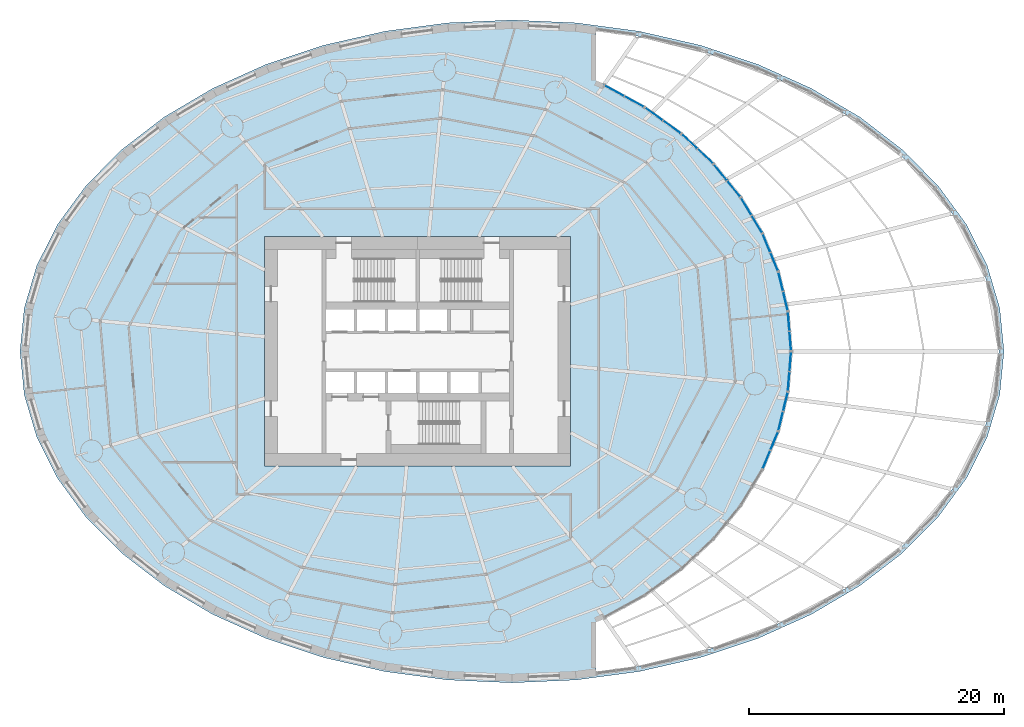
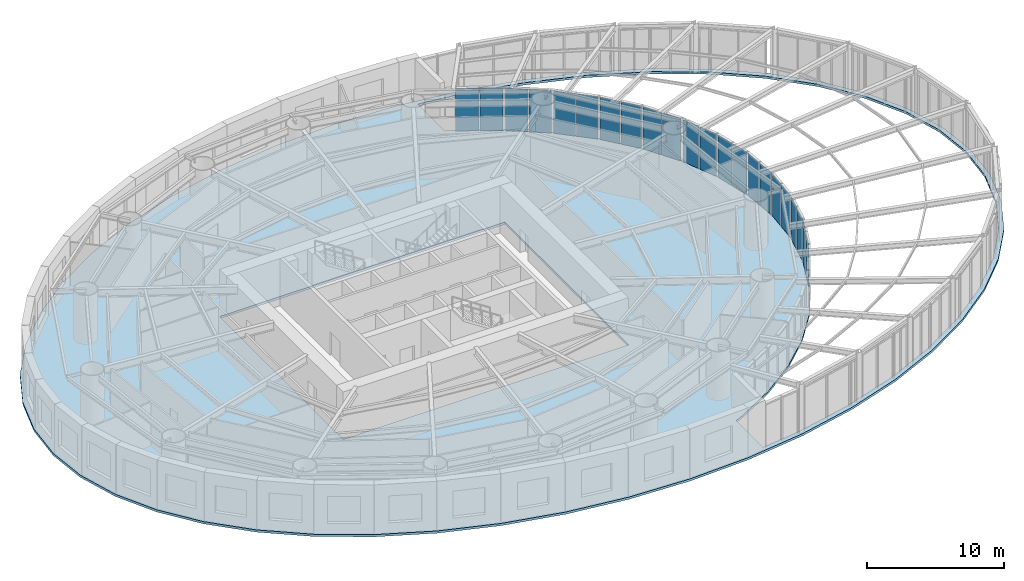
# One storey, part 15 of 23: 22 plates, 1 slab, 11 elements without a shape of their own.
"""IFC4 building model written with IfcOpenShell, lengths in metres."""

import ifcopenshell
import ifcopenshell.guid

model = None  # the IFC model being written
_history = None  # IfcOwnerHistory: only IFC2X3 demands one
_inside = {}  # id of a spatial element -> (the spatial element, [elements in it])
_under = {}  # id of a project, library or spatial element -> (it, [spatial elements below it])
_declared = {}  # id of a project -> (the project, [libraries it declares])
_typed = {}  # id of a type object -> (the type object, [elements of that type])
_made_of = {}  # id of a material, layer set ... -> (it, [elements and type objects made of it])


def new_model(schema):
    """Start an empty IFC model of exactly this schema.

    Asked for "IFC4X3", IfcOpenShell would pick the latest addendum, in which some entities
    have other attributes; the version numbers below select the first issue.
    IFC2X3 requires an IfcOwnerHistory on every rooted entity: one is made here for all.
    """
    global model, _history
    if schema == "IFC4X3":
        model = ifcopenshell.file(schema_version=(4, 3, 0, 0))
    else:
        model = ifcopenshell.file(schema=schema)
    _inside.clear()
    _under.clear()
    _declared.clear()
    _typed.clear()
    _made_of.clear()
    _history = None
    if model.schema == "IFC2X3":
        org = make("IfcOrganization", Name="unknown")
        user = make(
            "IfcPersonAndOrganization",
            ThePerson=make("IfcPerson", FamilyName="unknown"),
            TheOrganization=org,
        )
        app = make(
            "IfcApplication",
            ApplicationDeveloper=org,
            Version="unknown",
            ApplicationFullName="unknown",
            ApplicationIdentifier="unknown",
        )
        _history = make(
            "IfcOwnerHistory",
            OwningUser=user,
            OwningApplication=app,
            ChangeAction="ADDED",
            CreationDate=0,
        )
    return model


def make(cls, **values):
    """One entity of the class cls with the attributes given. An attribute that is None is left unset."""
    return model.create_entity(
        cls, **{name: value for name, value in values.items() if value is not None}
    )


def rooted(cls, **values):
    """An entity with a GlobalId (a new one), such as an element, a storey or a relation."""
    return make(cls, GlobalId=ifcopenshell.guid.new(), OwnerHistory=_history, **values)


def si_unit(unit_type, name, prefix=None):
    """IfcSIUnit, for example si_unit("LENGTHUNIT", "METRE", prefix="MILLI")."""
    return make("IfcSIUnit", UnitType=unit_type, Prefix=prefix, Name=name)


def assignment(units):
    """IfcUnitAssignment: the units of a project."""
    return None if units is None else make("IfcUnitAssignment", Units=units)


def point(xyz):
    """IfcCartesianPoint."""
    return None if xyz is None else make("IfcCartesianPoint", Coordinates=xyz)


def direction(xyz):
    """IfcDirection."""
    return None if xyz is None else make("IfcDirection", DirectionRatios=xyz)


def frame(location, z_axis=None, x_axis=None):
    """IfcAxis2Placement3D, a coordinate frame: its origin and axes. An axis left out is left unset."""
    return make(
        "IfcAxis2Placement3D",
        Location=point(location),
        Axis=direction(z_axis),
        RefDirection=direction(x_axis),
    )


def frame_2d(location, x_axis=None):
    """IfcAxis2Placement2D, a coordinate frame in the plane: its origin and x axis."""
    return make(
        "IfcAxis2Placement2D", Location=point(location), RefDirection=direction(x_axis)
    )


def origin():
    """The frame at (0, 0, 0) with its axes left unset."""
    return frame((0.0, 0.0, 0.0))


def origin_2d():
    """The frame at (0, 0) in the plane with its x axis left unset."""
    return frame_2d((0.0, 0.0))


def place(relative_to, where):
    """IfcLocalPlacement: puts the frame where relative to a parent placement (None: the world)."""
    return make(
        "IfcLocalPlacement", PlacementRelTo=relative_to, RelativePlacement=where
    )


def context(
    kind, dimensions, precision=None, world=None, true_north=None, identifier=None
):
    """IfcGeometricRepresentationContext, for example the 3D "Model" context."""
    return make(
        "IfcGeometricRepresentationContext",
        ContextIdentifier=identifier,
        ContextType=kind,
        CoordinateSpaceDimension=dimensions,
        Precision=precision,
        WorldCoordinateSystem=world,
        TrueNorth=true_north,
    )


def subcontext(parent, identifier, kind, view, scale=None):
    """IfcGeometricRepresentationSubContext, for example "Body" below "Model"."""
    return make(
        "IfcGeometricRepresentationSubContext",
        ContextIdentifier=identifier,
        ContextType=kind,
        ParentContext=parent,
        TargetScale=scale,
        TargetView=view,
    )


def project(units=None, contexts=None):
    """IfcProject with its units and contexts."""
    return rooted(
        "IfcProject",
        Name="project",
        RepresentationContexts=contexts,
        UnitsInContext=assignment(units),
    )


def spatial(cls, under=None, at=None, **own):
    """A site, building, storey or space (cls), placed at a placement, below another one or the project."""
    s = rooted(cls, ObjectPlacement=at, **own)
    if under is not None:
        _under.setdefault(under.id(), (under, []))[1].append(s)
    return s


def polyline(points):
    """IfcPolyline through the points."""
    return make("IfcPolyline", Points=[point(p) for p in points])


def profile(cls, at=None, kind="AREA", **sizes):
    """A parametric profile (cls). Its sizes go by their IFC names, for example OverallWidth=200.0."""
    return make(cls, ProfileType=kind, Position=at, **sizes)


def rectangle(**sizes):
    """IfcRectangleProfileDef."""
    return profile("IfcRectangleProfileDef", **sizes)


def outline(outer, holes=None, kind="AREA"):
    """IfcArbitraryClosedProfileDef: a profile drawn as a closed curve; with holes, ...WithVoids."""
    if holes is None:
        return make("IfcArbitraryClosedProfileDef", ProfileType=kind, OuterCurve=outer)
    return make(
        "IfcArbitraryProfileDefWithVoids",
        ProfileType=kind,
        OuterCurve=outer,
        InnerCurves=holes,
    )


def extrude(swept, where, along, depth):
    """IfcExtrudedAreaSolid: the profile swept, set in the frame where, extruded along a direction by depth."""
    return make(
        "IfcExtrudedAreaSolid",
        SweptArea=swept,
        Position=where,
        ExtrudedDirection=direction(along),
        Depth=depth,
    )


def shape(context_of_items, identifier, shape_type, items):
    """IfcShapeRepresentation: the items that make up one representation, for example the "Body"."""
    return make(
        "IfcShapeRepresentation",
        ContextOfItems=context_of_items,
        RepresentationIdentifier=identifier,
        RepresentationType=shape_type,
        Items=items,
    )


def material(Name=None, Category=None):
    """IfcMaterial."""
    return make("IfcMaterial", Name=Name, Category=Category)


def layer(
    of_material, thickness, ventilated=None, Name=None, Category=None, Priority=None
):
    """IfcMaterialLayer: one layer of a wall or slab, of a material (None: an air gap)."""
    return make(
        "IfcMaterialLayer",
        Material=of_material,
        LayerThickness=thickness,
        IsVentilated=ventilated,
        Name=Name,
        Category=Category,
        Priority=Priority,
    )


def layer_set(layers, Name=None):
    """IfcMaterialLayerSet."""
    return make("IfcMaterialLayerSet", MaterialLayers=layers, LayerSetName=Name)


def made_of(thing, what):
    """Note that an element or type object is made of a material, layer set ...; save() writes the relation."""
    if what is not None:
        _made_of.setdefault(what.id(), (what, []))[1].append(thing)
    return thing


def type_object(cls, material=None, **own):
    """A type object (cls), such as IfcWallType, which elements share."""
    return made_of(rooted(cls, **own), material)


def element(
    cls,
    number,
    at=None,
    inside=None,
    cuts=None,
    type_object=None,
    material=None,
    context=None,
    identifier="Body",
    shape_type=None,
    held_by="IfcProductDefinitionShape",
    body=None,
    shapes=None,
    **own,
):
    """One element of the class cls, such as IfcWall. Its Tag is "e" and its number.

    at: its placement. inside: the storey or other place that contains it. cuts: it is an
    opening in that element (IfcRelVoidsElement). A single representation is given by context,
    identifier, shape_type and body (its items); several are given by shapes. held_by: the class
    of the entity that holds the representations. save() writes the other relations.
    """
    e = rooted(cls, Tag="e%d" % number, ObjectPlacement=at, **own)
    if body is not None:
        shapes = [shape(context, identifier, shape_type, body)]
    if shapes is not None:
        e.Representation = make(held_by, Representations=shapes)
    if inside is not None:
        _inside.setdefault(inside.id(), (inside, []))[1].append(e)
    if cuts is not None:
        rooted(
            "IfcRelVoidsElement", RelatingBuildingElement=cuts, RelatedOpeningElement=e
        )
    if type_object is not None:
        _typed.setdefault(type_object.id(), (type_object, []))[1].append(e)
    return made_of(e, material)


def aggregate(whole, parts):
    """IfcRelAggregates: a whole, such as a stair, and the parts it consists of."""
    return rooted("IfcRelAggregates", RelatingObject=whole, RelatedObjects=parts)


def save(model, path):
    """Write the relations noted so far, then the file.

    IfcRelAggregates (storeys below a building ...), IfcRelContainedInSpatialStructure (elements
    in a storey), IfcRelDefinesByType, IfcRelAssociatesMaterial and IfcRelDeclares: one each for
    every whole, place, type object, material and project.
    """
    for whole, parts in _under.values():
        aggregate(whole, parts)
    for where, things in _inside.values():
        rooted(
            "IfcRelContainedInSpatialStructure",
            RelatedElements=things,
            RelatingStructure=where,
        )
    for kind, things in _typed.values():
        rooted("IfcRelDefinesByType", RelatedObjects=things, RelatingType=kind)
    for what, things in _made_of.values():
        rooted("IfcRelAssociatesMaterial", RelatedObjects=things, RelatingMaterial=what)
    for by, libraries in _declared.values():
        rooted("IfcRelDeclares", RelatingContext=by, RelatedDefinitions=libraries)
    model.write(path)


model = new_model("IFC4")

# Units and contexts
model_context = context("Model", 3, precision=1e-05, world=origin(), true_north=direction((0.0, 1.0)))
body_context = subcontext(model_context, "Body", "Model", "MODEL_VIEW")
ifc_project = project(units=[si_unit("LENGTHUNIT", "METRE"), si_unit("AREAUNIT", "SQUARE_METRE"), si_unit("VOLUMEUNIT", "CUBIC_METRE"), si_unit("PLANEANGLEUNIT", "RADIAN"), si_unit("MASSUNIT", "GRAM", prefix="KILO")], contexts=[model_context])

# Site, building, storey
site_placement = place(None, origin())
site = spatial("IfcSite", under=ifc_project, at=site_placement, CompositionType="ELEMENT")
building_placement = place(site_placement, origin())
building = spatial("IfcBuilding", under=site, at=building_placement, Name="Vermilion Reach Broadcast Tower", CompositionType="ELEMENT")
storey_placement = place(building_placement, frame((0.0, 0.0, 31.5)))
storey = spatial("IfcBuildingStorey", under=building, at=storey_placement, Name="L04", CompositionType="ELEMENT", Elevation=31.5)

# Curtain wall, plates
ifc_material_1 = material(Name="Low-e laminated clear glass in aluminium frame", Category="aluminium")
curtain_wall_type = type_object("IfcCurtainWallType", Name="Drum wall curtain wall", PredefinedType="NOTDEFINED", material=ifc_material_1)
placement = place(storey_placement, origin())
curtain_wall_1 = element("IfcCurtainWall", 1, at=placement, inside=storey, type_object=curtain_wall_type, Name="Drum wall L04 01", PredefinedType="NOTDEFINED")
ifc_material_2 = material(Name="Low-e laminated clear glass", Category="glass")
ifc_layer_1 = layer(ifc_material_2, 0.031982421875)
ifc_layer_set_1 = layer_set([ifc_layer_1], Name="Drum wall glass panel")
plate_type = type_object("IfcPlateType", Name="Drum wall glass panel", PredefinedType="CURTAIN_PANEL", material=ifc_layer_set_1)
plate_1_placement = place(storey_placement, frame((9.427490234375, 20.444580078125, 0.0), z_axis=(0.0, 0.0, 1.0), x_axis=(0.87712110117, -0.480269272265, 0.0)))
plate_1 = element("IfcPlate", 2, at=plate_1_placement, type_object=plate_type, Name="Drum wall glass panel L04 01.1.1", PredefinedType="CURTAIN_PANEL", context=body_context, shape_type="SweptSolid", body=[
    extrude(rectangle(XDim=1.6953125, YDim=0.031982421875, at=origin_2d()), origin(), (0.0, 0.0, 1.0), 3.761962890625),
])
plate_2_placement = place(storey_placement, frame((10.984619140625, 19.591796875, 0.0), z_axis=(0.0, 0.0, 1.0), x_axis=(0.87712110117, -0.480269272265, 0.0)))
plate_2 = element("IfcPlate", 3, at=plate_2_placement, type_object=plate_type, Name="Drum wall glass panel L04 01.2.1", PredefinedType="CURTAIN_PANEL", context=body_context, shape_type="SweptSolid", body=[
    extrude(rectangle(XDim=1.6953125, YDim=0.031982421875, at=origin_2d()), origin(), (0.0, 0.0, 1.0), 3.761962890625),
])
aggregate(curtain_wall_1, [plate_1, plate_2])

curtain_wall_2 = element("IfcCurtainWall", 4, at=placement, inside=storey, type_object=curtain_wall_type, Name="Drum wall L04 02", PredefinedType="NOTDEFINED")
plate_3_placement = place(storey_placement, frame((12.535400390625, 18.61669921875, 0.0), z_axis=(0.0, 0.0, 1.0), x_axis=(0.812050569069, -0.583587074286, 0.0)))
plate_3 = element("IfcPlate", 5, at=plate_3_placement, type_object=plate_type, Name="Drum wall glass panel L04 02.1.1", PredefinedType="CURTAIN_PANEL", context=body_context, shape_type="SweptSolid", body=[
    extrude(rectangle(XDim=1.6552734375, YDim=0.031982421875, at=origin_2d()), origin(), (0.0, 0.0, 1.0), 3.761962890625),
])
plate_4_placement = place(storey_placement, frame((13.9443359375, 17.60400390625, 0.0), z_axis=(0.0, 0.0, 1.0), x_axis=(0.812050569069, -0.583587074286, 0.0)))
plate_4 = element("IfcPlate", 6, at=plate_4_placement, type_object=plate_type, Name="Drum wall glass panel L04 02.2.1", PredefinedType="CURTAIN_PANEL", context=body_context, shape_type="SweptSolid", body=[
    extrude(rectangle(XDim=1.6552734375, YDim=0.031982421875, at=origin_2d()), origin(), (0.0, 0.0, 1.0), 3.761962890625),
])
aggregate(curtain_wall_2, [plate_3, plate_4])

curtain_wall_3 = element("IfcCurtainWall", 7, at=placement, inside=storey, type_object=curtain_wall_type, Name="Drum wall L04 03", PredefinedType="NOTDEFINED")
plate_5_placement = place(storey_placement, frame((15.3291015625, 16.46923828125, 0.0), z_axis=(0.0, 0.0, 1.0), x_axis=(0.730654054194, -0.682747869342, 0.0)))
plate_5 = element("IfcPlate", 8, at=plate_5_placement, type_object=plate_type, Name="Drum wall glass panel L04 03.1.1", PredefinedType="CURTAIN_PANEL", context=body_context, shape_type="SweptSolid", body=[
    extrude(rectangle(XDim=1.612548828125, YDim=0.031982421875, at=origin_2d()), origin(), (0.0, 0.0, 1.0), 3.761962890625),
])
plate_6_placement = place(storey_placement, frame((16.565673828125, 15.3134765625, 0.0), z_axis=(0.0, 0.0, 1.0), x_axis=(0.730654054194, -0.682747869342, 0.0)))
plate_6 = element("IfcPlate", 9, at=plate_6_placement, type_object=plate_type, Name="Drum wall glass panel L04 03.2.1", PredefinedType="CURTAIN_PANEL", context=body_context, shape_type="SweptSolid", body=[
    extrude(rectangle(XDim=1.612548828125, YDim=0.031982421875, at=origin_2d()), origin(), (0.0, 0.0, 1.0), 3.761962890625),
])
aggregate(curtain_wall_3, [plate_5, plate_6])

curtain_wall_4 = element("IfcCurtainWall", 10, at=placement, inside=storey, type_object=curtain_wall_type, Name="Drum wall L04 04", PredefinedType="NOTDEFINED")
plate_7_placement = place(storey_placement, frame((17.760009765625, 14.037841796875, 0.0), z_axis=(0.0, 0.0, 1.0), x_axis=(0.631930611951, -0.775024968423, 0.0)))
plate_7 = element("IfcPlate", 11, at=plate_7_placement, type_object=plate_type, Name="Drum wall glass panel L04 04.1.1", PredefinedType="CURTAIN_PANEL", context=body_context, shape_type="SweptSolid", body=[
    extrude(rectangle(XDim=1.570556640625, YDim=0.031982421875, at=origin_2d()), origin(), (0.0, 0.0, 1.0), 3.761962890625),
])
plate_8_placement = place(storey_placement, frame((18.80322265625, 12.758544921875, 0.0), z_axis=(0.0, 0.0, 1.0), x_axis=(0.631930611951, -0.775024968423, 0.0)))
plate_8 = element("IfcPlate", 12, at=plate_8_placement, type_object=plate_type, Name="Drum wall glass panel L04 04.2.1", PredefinedType="CURTAIN_PANEL", context=body_context, shape_type="SweptSolid", body=[
    extrude(rectangle(XDim=1.570556640625, YDim=0.031982421875, at=origin_2d()), origin(), (0.0, 0.0, 1.0), 3.761962890625),
])
aggregate(curtain_wall_4, [plate_7, plate_8])

curtain_wall_5 = element("IfcCurtainWall", 13, at=placement, inside=storey, type_object=curtain_wall_type, Name="Drum wall L04 05", PredefinedType="NOTDEFINED")
plate_9_placement = place(storey_placement, frame((19.7861328125, 11.363037109375, 0.0), z_axis=(0.0, 0.0, 1.0), x_axis=(0.515613297961, -0.856821409027, 0.0)))
plate_9 = element("IfcPlate", 14, at=plate_9_placement, type_object=plate_type, Name="Drum wall glass panel L04 05.1.1", PredefinedType="CURTAIN_PANEL", context=body_context, shape_type="SweptSolid", body=[
    extrude(rectangle(XDim=1.531982421875, YDim=0.031982421875, at=origin_2d()), origin(), (0.0, 0.0, 1.0), 3.761962890625),
])
plate_10_placement = place(storey_placement, frame((20.617431640625, 9.981689453125, 0.0), z_axis=(0.0, 0.0, 1.0), x_axis=(0.515613297961, -0.856821409027, 0.0)))
plate_10 = element("IfcPlate", 15, at=plate_10_placement, type_object=plate_type, Name="Drum wall glass panel L04 05.2.1", PredefinedType="CURTAIN_PANEL", context=body_context, shape_type="SweptSolid", body=[
    extrude(rectangle(XDim=1.531982421875, YDim=0.031982421875, at=origin_2d()), origin(), (0.0, 0.0, 1.0), 3.761962890625),
])
aggregate(curtain_wall_5, [plate_9, plate_10])

curtain_wall_6 = element("IfcCurtainWall", 16, at=placement, inside=storey, type_object=curtain_wall_type, Name="Drum wall L04 06", PredefinedType="NOTDEFINED")
plate_11_placement = place(storey_placement, frame((21.371337890625, 8.489990234375, 0.0), z_axis=(0.0, 0.0, 1.0), x_axis=(0.382693341189, -0.92387542808, 0.0)))
plate_11 = element("IfcPlate", 17, at=plate_11_placement, type_object=plate_type, Name="Drum wall glass panel L04 06.1.1", PredefinedType="CURTAIN_PANEL", context=body_context, shape_type="SweptSolid", body=[
    extrude(rectangle(XDim=1.5, YDim=0.031982421875, at=origin_2d()), origin(), (0.0, 0.0, 1.0), 3.761962890625),
])
plate_12_placement = place(storey_placement, frame((21.97607421875, 7.0302734375, 0.0), z_axis=(0.0, 0.0, 1.0), x_axis=(0.382693341189, -0.92387542808, 0.0)))
plate_12 = element("IfcPlate", 18, at=plate_12_placement, type_object=plate_type, Name="Drum wall glass panel L04 06.2.1", PredefinedType="CURTAIN_PANEL", context=body_context, shape_type="SweptSolid", body=[
    extrude(rectangle(XDim=1.5, YDim=0.031982421875, at=origin_2d()), origin(), (0.0, 0.0, 1.0), 3.761962890625),
])
aggregate(curtain_wall_6, [plate_11, plate_12])

curtain_wall_7 = element("IfcCurtainWall", 19, at=placement, inside=storey, type_object=curtain_wall_type, Name="Drum wall L04 07", PredefinedType="NOTDEFINED")
plate_13_placement = place(storey_placement, frame((22.486572265625, 5.468017578125, 0.0), z_axis=(0.0, 0.0, 1.0), x_axis=(0.235876820108, -0.971782962258, 0.0)))
plate_13 = element("IfcPlate", 20, at=plate_13_placement, type_object=plate_type, Name="Drum wall glass panel L04 07.1.1", PredefinedType="CURTAIN_PANEL", context=body_context, shape_type="SweptSolid", body=[
    extrude(rectangle(XDim=1.47705078125, YDim=0.031982421875, at=origin_2d()), origin(), (0.0, 0.0, 1.0), 3.761962890625),
])
plate_14_placement = place(storey_placement, frame((22.85400390625, 3.955078125, 0.0), z_axis=(0.0, 0.0, 1.0), x_axis=(0.235876820108, -0.971782962258, 0.0)))
plate_14 = element("IfcPlate", 21, at=plate_14_placement, type_object=plate_type, Name="Drum wall glass panel L04 07.2.1", PredefinedType="CURTAIN_PANEL", context=body_context, shape_type="SweptSolid", body=[
    extrude(rectangle(XDim=1.47705078125, YDim=0.031982421875, at=origin_2d()), origin(), (0.0, 0.0, 1.0), 3.761962890625),
])
aggregate(curtain_wall_7, [plate_13, plate_14])

curtain_wall_8 = element("IfcCurtainWall", 22, at=placement, inside=storey, type_object=curtain_wall_type, Name="Drum wall L04 08", PredefinedType="NOTDEFINED")
plate_15_placement = place(storey_placement, frame((23.11181640625, 2.349853515625, 0.0), z_axis=(0.0, 0.0, 1.0), x_axis=(0.079725722082, -0.99681683836, 0.0)))
plate_15 = element("IfcPlate", 23, at=plate_15_placement, type_object=plate_type, Name="Drum wall glass panel L04 08.1.1", PredefinedType="CURTAIN_PANEL", context=body_context, shape_type="SweptSolid", body=[
    extrude(rectangle(XDim=1.46484375, YDim=0.031982421875, at=origin_2d()), origin(), (0.0, 0.0, 1.0), 3.761962890625),
])
plate_16_placement = place(storey_placement, frame((23.23486328125, 0.809814453125, 0.0), z_axis=(0.0, 0.0, 1.0), x_axis=(0.079725722082, -0.99681683836, 0.0)))
plate_16 = element("IfcPlate", 24, at=plate_16_placement, type_object=plate_type, Name="Drum wall glass panel L04 08.2.1", PredefinedType="CURTAIN_PANEL", context=body_context, shape_type="SweptSolid", body=[
    extrude(rectangle(XDim=1.46484375, YDim=0.031982421875, at=origin_2d()), origin(), (0.0, 0.0, 1.0), 3.761962890625),
])
aggregate(curtain_wall_8, [plate_15, plate_16])

curtain_wall_9 = element("IfcCurtainWall", 25, at=placement, inside=storey, type_object=curtain_wall_type, Name="Drum wall L04 09", PredefinedType="NOTDEFINED")
plate_17_placement = place(storey_placement, frame((23.23486328125, -0.809814453125, 0.0), z_axis=(0.0, 0.0, 1.0), x_axis=(-0.079725722082, -0.99681683836, 0.0)))
plate_17 = element("IfcPlate", 26, at=plate_17_placement, type_object=plate_type, Name="Drum wall glass panel L04 09.1.1", PredefinedType="CURTAIN_PANEL", context=body_context, shape_type="SweptSolid", body=[
    extrude(rectangle(XDim=1.46484375, YDim=0.031982421875, at=origin_2d()), origin(), (0.0, 0.0, 1.0), 3.761962890625),
])
plate_18_placement = place(storey_placement, frame((23.11181640625, -2.349853515625, 0.0), z_axis=(0.0, 0.0, 1.0), x_axis=(-0.079725722082, -0.99681683836, 0.0)))
plate_18 = element("IfcPlate", 27, at=plate_18_placement, type_object=plate_type, Name="Drum wall glass panel L04 09.2.1", PredefinedType="CURTAIN_PANEL", context=body_context, shape_type="SweptSolid", body=[
    extrude(rectangle(XDim=1.46484375, YDim=0.031982421875, at=origin_2d()), origin(), (0.0, 0.0, 1.0), 3.761962890625),
])
aggregate(curtain_wall_9, [plate_17, plate_18])

curtain_wall_10 = element("IfcCurtainWall", 28, at=placement, inside=storey, type_object=curtain_wall_type, Name="Drum wall L04 10", PredefinedType="NOTDEFINED")
plate_19_placement = place(storey_placement, frame((22.85400390625, -3.955078125, 0.0), z_axis=(0.0, 0.0, 1.0), x_axis=(-0.235876820108, -0.971782962258, 0.0)))
plate_19 = element("IfcPlate", 29, at=plate_19_placement, type_object=plate_type, Name="Drum wall glass panel L04 10.1.1", PredefinedType="CURTAIN_PANEL", context=body_context, shape_type="SweptSolid", body=[
    extrude(rectangle(XDim=1.47705078125, YDim=0.031982421875, at=origin_2d()), origin(), (0.0, 0.0, 1.0), 3.761962890625),
])
plate_20_placement = place(storey_placement, frame((22.486572265625, -5.468017578125, 0.0), z_axis=(0.0, 0.0, 1.0), x_axis=(-0.235876820108, -0.971782962258, 0.0)))
plate_20 = element("IfcPlate", 30, at=plate_20_placement, type_object=plate_type, Name="Drum wall glass panel L04 10.2.1", PredefinedType="CURTAIN_PANEL", context=body_context, shape_type="SweptSolid", body=[
    extrude(rectangle(XDim=1.47705078125, YDim=0.031982421875, at=origin_2d()), origin(), (0.0, 0.0, 1.0), 3.761962890625),
])
aggregate(curtain_wall_10, [plate_19, plate_20])

curtain_wall_11 = element("IfcCurtainWall", 31, at=placement, inside=storey, type_object=curtain_wall_type, Name="Drum wall L04 11", PredefinedType="NOTDEFINED")
plate_21_placement = place(storey_placement, frame((21.97607421875, -7.0302734375, 0.0), z_axis=(0.0, 0.0, 1.0), x_axis=(-0.382693341189, -0.92387542808, 0.0)))
plate_21 = element("IfcPlate", 32, at=plate_21_placement, type_object=plate_type, Name="Drum wall glass panel L04 11.1.1", PredefinedType="CURTAIN_PANEL", context=body_context, shape_type="SweptSolid", body=[
    extrude(rectangle(XDim=1.5, YDim=0.031982421875, at=origin_2d()), origin(), (0.0, 0.0, 1.0), 3.761962890625),
])
plate_22_placement = place(storey_placement, frame((21.371337890625, -8.489990234375, 0.0), z_axis=(0.0, 0.0, 1.0), x_axis=(-0.382693341189, -0.92387542808, 0.0)))
plate_22 = element("IfcPlate", 33, at=plate_22_placement, type_object=plate_type, Name="Drum wall glass panel L04 11.2.1", PredefinedType="CURTAIN_PANEL", context=body_context, shape_type="SweptSolid", body=[
    extrude(rectangle(XDim=1.5, YDim=0.031982421875, at=origin_2d()), origin(), (0.0, 0.0, 1.0), 3.761962890625),
])
aggregate(curtain_wall_11, [plate_21, plate_22])

# Slab
ifc_material_3 = material(Name="Concrete C40", Category="concrete")
ifc_layer_2 = layer(ifc_material_3, 0.199951171875)
ifc_layer_set_2 = layer_set([ifc_layer_2], Name="Floor slab Concrete C40 200")
slab_type = type_object("IfcSlabType", Name="Floor slab Concrete C40 200", PredefinedType="FLOOR", material=ifc_layer_set_2)
slab_placement = place(storey_placement, frame((0.0, 0.0, -0.199951171875)))
element("IfcSlab", 34, at=slab_placement, inside=storey, type_object=slab_type, Name="Floor slab L04", PredefinedType="FLOOR", context=body_context, shape_type="SweptSolid", body=[
    extrude(outline(polyline([(40.0, 0.0), (39.669677734375, 3.393798828125), (38.684814453125, 6.729248046875), (37.061767578125, 9.94970703125), (34.82861328125, 13.0), (32.0234375, 15.827880859375), (28.6943359375, 18.384765625), (24.898193359375, 20.627197265625), (20.699951171875, 22.5166015625), (16.171630859375, 24.020751953125), (11.390380859375, 25.114013671875), (6.438232421875, 25.777587890625), (1.39990234375, 26.0), (-3.638427734375, 25.777587890625), (-8.59033203125, 25.114013671875), (-13.37158203125, 24.020751953125), (-17.89990234375, 22.5166015625), (-22.09814453125, 20.627197265625), (-25.894287109375, 18.384765625), (-29.223388671875, 15.827880859375), (-32.028564453125, 13.0), (-34.26171875, 9.94970703125), (-35.884765625, 6.729248046875), (-36.869873046875, 3.393798828125), (-37.199951171875, 0.0), (-36.869873046875, -3.393798828125), (-35.884765625, -6.729248046875), (-34.26171875, -9.94970703125), (-32.028564453125, -13.0), (-29.223388671875, -15.827880859375), (-25.894287109375, -18.384765625), (-22.09814453125, -20.627197265625), (-17.89990234375, -22.5166015625), (-13.37158203125, -24.020751953125), (-8.59033203125, -25.114013671875), (-3.638427734375, -25.777587890625), (1.39990234375, -26.0), (6.438232421875, -25.777587890625), (11.390380859375, -25.114013671875), (16.171630859375, -24.020751953125), (20.699951171875, -22.5166015625), (24.898193359375, -20.627197265625), (28.6943359375, -18.384765625), (32.0234375, -15.827880859375), (34.82861328125, -13.0), (37.061767578125, -9.94970703125), (38.684814453125, -6.729248046875), (39.669677734375, -3.393798828125), (40.0, 0.0)]), holes=[polyline([(8.0, 25.1650390625), (8.0, 21.245849609375), (8.656494140625, 20.98046875), (11.851806640625, 19.23095703125), (14.744873046875, 17.15185546875), (17.28662109375, 14.77685546875), (19.43212890625, 12.1455078125), (21.143310546875, 9.302001953125), (22.388916015625, 6.294677734375), (23.14599609375, 3.175537109375), (23.39990234375, 0.0), (23.14599609375, -3.175537109375), (22.388916015625, -6.294677734375), (21.143310546875, -9.302001953125), (19.43212890625, -12.1455078125), (17.28662109375, -14.77685546875), (14.744873046875, -17.15185546875), (11.851806640625, -19.23095703125), (8.656494140625, -20.98046875), (8.0, -21.245849609375), (8.0, -25.1650390625), (11.3193359375, -24.720458984375), (16.06396484375, -23.635498046875), (20.554931640625, -22.143798828125), (24.714599609375, -20.271728515625), (28.470947265625, -18.052978515625), (31.759521484375, -15.527099609375), (34.52490234375, -12.73974609375), (36.720947265625, -9.740234375), (38.31298828125, -6.58154296875), (39.277099609375, -3.31689453125), (39.60009765625, 0.0), (39.277099609375, 3.31689453125), (38.31298828125, 6.58154296875), (36.720947265625, 9.740234375), (34.52490234375, 12.73974609375), (31.759521484375, 15.527099609375), (28.470947265625, 18.052978515625), (24.714599609375, 20.271728515625), (20.554931640625, 22.143798828125), (16.06396484375, 23.635498046875), (11.3193359375, 24.720458984375), (8.0, 25.1650390625)]), polyline([(-18.0, -9.0), (6.0, -9.0), (6.0, 9.0), (-18.0, 9.0), (-18.0, -9.0)])]), origin(), (0.0, 0.0, 1.0), 0.199951171875),
])

save(model, "model.ifc")
